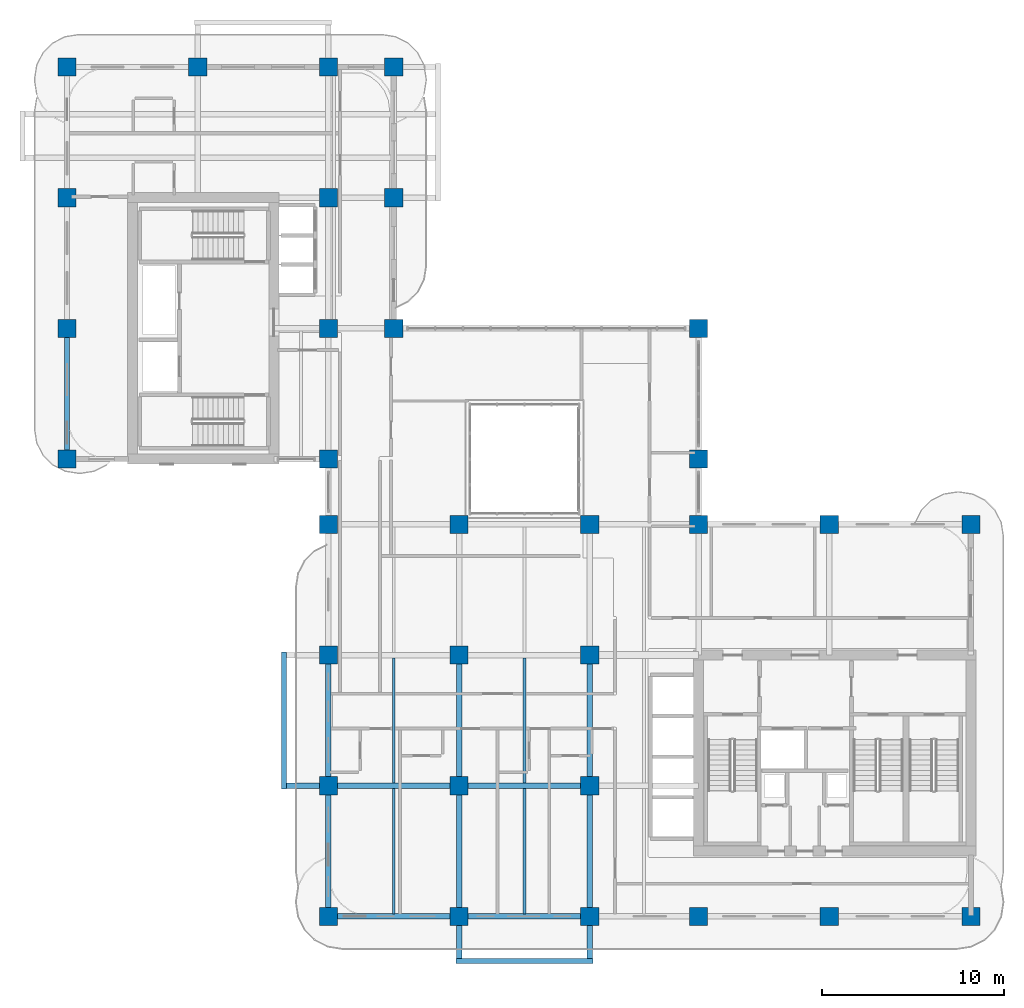
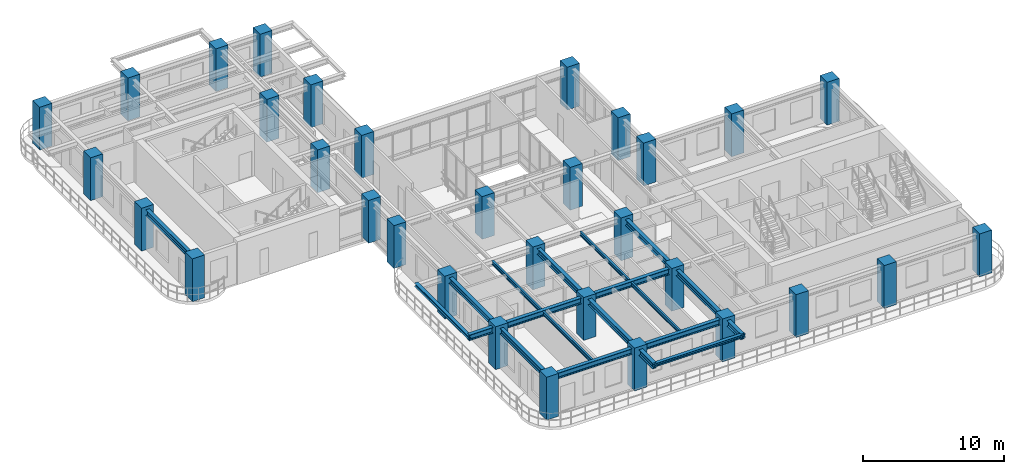
# One storey, part 1 of 20: 32 columns, 17 beams.
"""IFC4 building model written with IfcOpenShell, lengths in metres."""

import ifcopenshell
import ifcopenshell.guid

model = None  # the IFC model being written
_history = None  # IfcOwnerHistory: only IFC2X3 demands one
_inside = {}  # id of a spatial element -> (the spatial element, [elements in it])
_under = {}  # id of a project, library or spatial element -> (it, [spatial elements below it])
_declared = {}  # id of a project -> (the project, [libraries it declares])
_typed = {}  # id of a type object -> (the type object, [elements of that type])
_made_of = {}  # id of a material, layer set ... -> (it, [elements and type objects made of it])


def new_model(schema):
    """Start an empty IFC model of exactly this schema.

    Asked for "IFC4X3", IfcOpenShell would pick the latest addendum, in which some entities
    have other attributes; the version numbers below select the first issue.
    IFC2X3 requires an IfcOwnerHistory on every rooted entity: one is made here for all.
    """
    global model, _history
    if schema == "IFC4X3":
        model = ifcopenshell.file(schema_version=(4, 3, 0, 0))
    else:
        model = ifcopenshell.file(schema=schema)
    _inside.clear()
    _under.clear()
    _declared.clear()
    _typed.clear()
    _made_of.clear()
    _history = None
    if model.schema == "IFC2X3":
        org = make("IfcOrganization", Name="unknown")
        user = make(
            "IfcPersonAndOrganization",
            ThePerson=make("IfcPerson", FamilyName="unknown"),
            TheOrganization=org,
        )
        app = make(
            "IfcApplication",
            ApplicationDeveloper=org,
            Version="unknown",
            ApplicationFullName="unknown",
            ApplicationIdentifier="unknown",
        )
        _history = make(
            "IfcOwnerHistory",
            OwningUser=user,
            OwningApplication=app,
            ChangeAction="ADDED",
            CreationDate=0,
        )
    return model


def make(cls, **values):
    """One entity of the class cls with the attributes given. An attribute that is None is left unset."""
    return model.create_entity(
        cls, **{name: value for name, value in values.items() if value is not None}
    )


def rooted(cls, **values):
    """An entity with a GlobalId (a new one), such as an element, a storey or a relation."""
    return make(cls, GlobalId=ifcopenshell.guid.new(), OwnerHistory=_history, **values)


def si_unit(unit_type, name, prefix=None):
    """IfcSIUnit, for example si_unit("LENGTHUNIT", "METRE", prefix="MILLI")."""
    return make("IfcSIUnit", UnitType=unit_type, Prefix=prefix, Name=name)


def derived_unit(unit_type, elements):
    """IfcDerivedUnit: a product of units, each with its exponent."""
    return make(
        "IfcDerivedUnit",
        Elements=[
            make("IfcDerivedUnitElement", Unit=unit, Exponent=power)
            for unit, power in elements
        ],
        UnitType=unit_type,
    )


def assignment(units):
    """IfcUnitAssignment: the units of a project."""
    return None if units is None else make("IfcUnitAssignment", Units=units)


def point(xyz):
    """IfcCartesianPoint."""
    return None if xyz is None else make("IfcCartesianPoint", Coordinates=xyz)


def direction(xyz):
    """IfcDirection."""
    return None if xyz is None else make("IfcDirection", DirectionRatios=xyz)


def frame(location, z_axis=None, x_axis=None):
    """IfcAxis2Placement3D, a coordinate frame: its origin and axes. An axis left out is left unset."""
    return make(
        "IfcAxis2Placement3D",
        Location=point(location),
        Axis=direction(z_axis),
        RefDirection=direction(x_axis),
    )


def frame_2d(location, x_axis=None):
    """IfcAxis2Placement2D, a coordinate frame in the plane: its origin and x axis."""
    return make(
        "IfcAxis2Placement2D", Location=point(location), RefDirection=direction(x_axis)
    )


def origin():
    """The frame at (0, 0, 0) with its axes left unset."""
    return frame((0.0, 0.0, 0.0))


def origin_2d():
    """The frame at (0, 0) in the plane with its x axis left unset."""
    return frame_2d((0.0, 0.0))


def place(relative_to, where):
    """IfcLocalPlacement: puts the frame where relative to a parent placement (None: the world)."""
    return make(
        "IfcLocalPlacement", PlacementRelTo=relative_to, RelativePlacement=where
    )


def context(
    kind, dimensions, precision=None, world=None, true_north=None, identifier=None
):
    """IfcGeometricRepresentationContext, for example the 3D "Model" context."""
    return make(
        "IfcGeometricRepresentationContext",
        ContextIdentifier=identifier,
        ContextType=kind,
        CoordinateSpaceDimension=dimensions,
        Precision=precision,
        WorldCoordinateSystem=world,
        TrueNorth=true_north,
    )


def subcontext(parent, identifier, kind, view, scale=None):
    """IfcGeometricRepresentationSubContext, for example "Body" below "Model"."""
    return make(
        "IfcGeometricRepresentationSubContext",
        ContextIdentifier=identifier,
        ContextType=kind,
        ParentContext=parent,
        TargetScale=scale,
        TargetView=view,
    )


def project(units=None, contexts=None):
    """IfcProject with its units and contexts."""
    return rooted(
        "IfcProject",
        Name="project",
        RepresentationContexts=contexts,
        UnitsInContext=assignment(units),
    )


def spatial(cls, under=None, at=None, **own):
    """A site, building, storey or space (cls), placed at a placement, below another one or the project."""
    s = rooted(cls, ObjectPlacement=at, **own)
    if under is not None:
        _under.setdefault(under.id(), (under, []))[1].append(s)
    return s


def profile(cls, at=None, kind="AREA", **sizes):
    """A parametric profile (cls). Its sizes go by their IFC names, for example OverallWidth=200.0."""
    return make(cls, ProfileType=kind, Position=at, **sizes)


def rectangle(**sizes):
    """IfcRectangleProfileDef."""
    return profile("IfcRectangleProfileDef", **sizes)


def i_section(**sizes):
    """IfcIShapeProfileDef."""
    return profile("IfcIShapeProfileDef", **sizes)


def extrude(swept, where, along, depth):
    """IfcExtrudedAreaSolid: the profile swept, set in the frame where, extruded along a direction by depth."""
    return make(
        "IfcExtrudedAreaSolid",
        SweptArea=swept,
        Position=where,
        ExtrudedDirection=direction(along),
        Depth=depth,
    )


def shape(context_of_items, identifier, shape_type, items):
    """IfcShapeRepresentation: the items that make up one representation, for example the "Body"."""
    return make(
        "IfcShapeRepresentation",
        ContextOfItems=context_of_items,
        RepresentationIdentifier=identifier,
        RepresentationType=shape_type,
        Items=items,
    )


def source(mapping_origin, context_of_items, identifier, shape_type, items):
    """IfcRepresentationMap: a shape defined once, which mapped items show again and again."""
    return make(
        "IfcRepresentationMap",
        MappingOrigin=mapping_origin,
        MappedRepresentation=shape(context_of_items, identifier, shape_type, items),
    )


def transform(
    local_origin,
    x_axis=None,
    y_axis=None,
    z_axis=None,
    scale=None,
    scale2=None,
    scale3=None,
    uniform=True,
):
    """IfcCartesianTransformationOperator3D, or its non-uniform kind. x_axis, y_axis, z_axis: its Axis1, 2, 3."""
    if uniform:
        return make(
            "IfcCartesianTransformationOperator3D",
            Axis1=direction(x_axis),
            Axis2=direction(y_axis),
            LocalOrigin=point(local_origin),
            Scale=scale,
            Axis3=direction(z_axis),
        )
    return make(
        "IfcCartesianTransformationOperator3DnonUniform",
        Axis1=direction(x_axis),
        Axis2=direction(y_axis),
        LocalOrigin=point(local_origin),
        Scale=scale,
        Axis3=direction(z_axis),
        Scale2=scale2,
        Scale3=scale3,
    )


def mapped(mapping_source, mapping_target):
    """IfcMappedItem: shows the shape of a source again, moved by a transform."""
    return make(
        "IfcMappedItem", MappingSource=mapping_source, MappingTarget=mapping_target
    )


def material(Name=None, Category=None):
    """IfcMaterial."""
    return make("IfcMaterial", Name=Name, Category=Category)


def material_profile(
    of_material, cross_section, Name=None, Category=None, Priority=None
):
    """IfcMaterialProfile: a cross section and its material."""
    return make(
        "IfcMaterialProfile",
        Name=Name,
        Material=of_material,
        Profile=cross_section,
        Priority=Priority,
        Category=Category,
    )


def profile_set(profiles, Name=None, composite=None):
    """IfcMaterialProfileSet."""
    return make(
        "IfcMaterialProfileSet",
        Name=Name,
        MaterialProfiles=profiles,
        CompositeProfile=composite,
    )


def made_of(thing, what):
    """Note that an element or type object is made of a material, layer set ...; save() writes the relation."""
    if what is not None:
        _made_of.setdefault(what.id(), (what, []))[1].append(thing)
    return thing


def type_object(cls, material=None, **own):
    """A type object (cls), such as IfcWallType, which elements share."""
    return made_of(rooted(cls, **own), material)


def type_shapes(of_type, sources):
    """Give a type object the sources (RepresentationMaps) that its elements show as mapped items."""
    of_type.RepresentationMaps = sources


def element(
    cls,
    number,
    at=None,
    inside=None,
    cuts=None,
    type_object=None,
    material=None,
    context=None,
    identifier="Body",
    shape_type=None,
    held_by="IfcProductDefinitionShape",
    body=None,
    shapes=None,
    **own,
):
    """One element of the class cls, such as IfcWall. Its Tag is "e" and its number.

    at: its placement. inside: the storey or other place that contains it. cuts: it is an
    opening in that element (IfcRelVoidsElement). A single representation is given by context,
    identifier, shape_type and body (its items); several are given by shapes. held_by: the class
    of the entity that holds the representations. save() writes the other relations.
    """
    e = rooted(cls, Tag="e%d" % number, ObjectPlacement=at, **own)
    if body is not None:
        shapes = [shape(context, identifier, shape_type, body)]
    if shapes is not None:
        e.Representation = make(held_by, Representations=shapes)
    if inside is not None:
        _inside.setdefault(inside.id(), (inside, []))[1].append(e)
    if cuts is not None:
        rooted(
            "IfcRelVoidsElement", RelatingBuildingElement=cuts, RelatedOpeningElement=e
        )
    if type_object is not None:
        _typed.setdefault(type_object.id(), (type_object, []))[1].append(e)
    return made_of(e, material)


def aggregate(whole, parts):
    """IfcRelAggregates: a whole, such as a stair, and the parts it consists of."""
    return rooted("IfcRelAggregates", RelatingObject=whole, RelatedObjects=parts)


def save(model, path):
    """Write the relations noted so far, then the file.

    IfcRelAggregates (storeys below a building ...), IfcRelContainedInSpatialStructure (elements
    in a storey), IfcRelDefinesByType, IfcRelAssociatesMaterial and IfcRelDeclares: one each for
    every whole, place, type object, material and project.
    """
    for whole, parts in _under.values():
        aggregate(whole, parts)
    for where, things in _inside.values():
        rooted(
            "IfcRelContainedInSpatialStructure",
            RelatedElements=things,
            RelatingStructure=where,
        )
    for kind, things in _typed.values():
        rooted("IfcRelDefinesByType", RelatedObjects=things, RelatingType=kind)
    for what, things in _made_of.values():
        rooted("IfcRelAssociatesMaterial", RelatedObjects=things, RelatingMaterial=what)
    for by, libraries in _declared.values():
        rooted("IfcRelDeclares", RelatingContext=by, RelatedDefinitions=libraries)
    model.write(path)


model = new_model("IFC4")

# Units and contexts
model_context = context("Model", 3, precision=1e-05, world=origin(), true_north=direction((0.0, 1.0)))
body_context = subcontext(model_context, "Body", "Model", "MODEL_VIEW")
ifc_project = project(units=[si_unit("LENGTHUNIT", "METRE"), si_unit("AREAUNIT", "SQUARE_METRE"), si_unit("VOLUMEUNIT", "CUBIC_METRE"), si_unit("PLANEANGLEUNIT", "RADIAN"), si_unit("MASSUNIT", "GRAM", prefix="KILO"), si_unit("THERMODYNAMICTEMPERATUREUNIT", "KELVIN"), si_unit("POWERUNIT", "WATT"), derived_unit("THERMALTRANSMITTANCEUNIT", [(si_unit("POWERUNIT", "WATT"), 1), (si_unit("AREAUNIT", "SQUARE_METRE"), -1), (si_unit("THERMODYNAMICTEMPERATUREUNIT", "KELVIN"), -1)])], contexts=[model_context])

# Site, building, storey
site_placement = place(None, origin())
site = spatial("IfcSite", under=ifc_project, at=site_placement, CompositionType="ELEMENT")
building_placement = place(site_placement, origin())
building = spatial("IfcBuilding", under=site, at=building_placement, Name="Zahravan Archway Hotel and Residences", CompositionType="ELEMENT")
storey_placement = place(building_placement, frame((0.0, 0.0, 126.60009765625)))
storey = spatial("IfcBuildingStorey", under=building, at=storey_placement, Name="L31", CompositionType="ELEMENT", Elevation=126.60009765625)

# Columns
ifc_material_1 = material(Name="Concrete C60/75", Category="concrete")
ifc_material_profile_1 = material_profile(ifc_material_1, rectangle(XDim=1.0, YDim=1.0, at=origin_2d()), Name="RC-COL-1000x1000", Category="concrete")
ifc_profile_set_1 = profile_set([ifc_material_profile_1], Name="Concrete C60/75")
column_type = type_object("IfcColumnType", Name="COL-RC-1000", PredefinedType="COLUMN", material=ifc_profile_set_1)
shared_shape_1 = source(origin(), body_context, "Body", "SweptSolid", [
    extrude(rectangle(XDim=1.0, YDim=1.0, at=origin_2d()), origin(), (0.0, 0.0, 1.0), 3.699951171875),
])
type_shapes(column_type, [shared_shape_1])
for number, where, z_axis, x_axis, name in (
    (1, (0.0, 25.199951171875, 0.0), (0.0, 0.0, 1.0), (1.0, 0.0, 0.0), "L31 Column 1-E"),
    (2, (0.0, 32.39990234375, 0.0), (0.0, 0.0, 1.0), (1.0, 0.0, 0.0), "L31 Column 1-F"),
    (3, (0.0, 39.60009765625, 0.0), (0.0, 0.0, 1.0), (1.0, 0.0, 0.0), "L31 Column 1-G"),
    (4, (0.0, 46.800048828125, 0.0), (0.0, 0.0, 1.0), (1.0, 0.0, 0.0), "L31 Column 1-H"),
    (5, (7.199951171875, 46.800048828125, 0.0), (0.0, 0.0, 1.0), (1.0, 0.0, 0.0), "L31 Column 2-H"),
    (6, (14.39990234375, 0.0, 0.0), (0.0, 0.0, 1.0), (1.0, 0.0, 0.0), "L31 Column 3-A"),
    (7, (14.39990234375, 7.199951171875, 0.0), (0.0, 0.0, 1.0), (1.0, 0.0, 0.0), "L31 Column 3-B"),
    (8, (14.39990234375, 14.39990234375, 0.0), (0.0, 0.0, 1.0), (1.0, 0.0, 0.0), "L31 Column 3-C"),
    (9, (14.39990234375, 21.60009765625, 0.0), (0.0, 0.0, 1.0), (1.0, 0.0, 0.0), "L31 Column 3-D"),
    (10, (14.39990234375, 25.199951171875, 0.0), (0.0, 0.0, 1.0), (1.0, 0.0, 0.0), "L31 Column 3-E"),
    (11, (14.39990234375, 32.39990234375, 0.0), (0.0, 0.0, 1.0), (1.0, 0.0, 0.0), "L31 Column 3-F"),
    (12, (14.39990234375, 39.60009765625, 0.0), (0.0, 0.0, 1.0), (1.0, 0.0, 0.0), "L31 Column 3-G"),
    (13, (14.39990234375, 46.800048828125, 0.0), (0.0, 0.0, 1.0), (1.0, 0.0, 0.0), "L31 Column 3-H"),
    (14, (21.60009765625, 0.0, 0.0), (0.0, 0.0, 1.0), (1.0, 0.0, 0.0), "L31 Column 4-A"),
    (15, (21.60009765625, 7.199951171875, 0.0), (0.0, 0.0, 1.0), (1.0, 0.0, 0.0), "L31 Column 4-B"),
    (16, (21.60009765625, 14.39990234375, 0.0), (0.0, 0.0, 1.0), (1.0, 0.0, 0.0), "L31 Column 4-C"),
    (17, (21.60009765625, 21.60009765625, 0.0), (0.0, 0.0, 1.0), (1.0, 0.0, 0.0), "L31 Column 4-D"),
    (18, (28.800048828125, 0.0, 0.0), (0.0, 0.0, 1.0), (1.0, 0.0, 0.0), "L31 Column 5-A"),
    (19, (28.800048828125, 7.199951171875, 0.0), (0.0, 0.0, 1.0), (1.0, 0.0, 0.0), "L31 Column 5-B"),
    (20, (28.800048828125, 14.39990234375, 0.0), (0.0, 0.0, 1.0), (1.0, 0.0, 0.0), "L31 Column 5-C"),
    (21, (28.800048828125, 21.60009765625, 0.0), (0.0, 0.0, 1.0), (1.0, 0.0, 0.0), "L31 Column 5-D"),
    (22, (34.800048828125, 0.0, 0.0), (0.0, 0.0, 1.0), (1.0, 0.0, 0.0), "L31 Column 6-A"),
    (23, (34.800048828125, 21.60009765625, 0.0), (0.0, 0.0, 1.0), (1.0, 0.0, 0.0), "L31 Column 6-D"),
    (24, (34.800048828125, 25.199951171875, 0.0), (0.0, 0.0, 1.0), (1.0, 0.0, 0.0), "L31 Column 6-E"),
    (25, (34.800048828125, 32.39990234375, 0.0), (0.0, 0.0, 1.0), (1.0, 0.0, 0.0), "L31 Column 6-F"),
    (26, (42.0, 0.0, 0.0), (0.0, 0.0, 1.0), (1.0, 0.0, 0.0), "L31 Column 7-A"),
    (27, (42.0, 21.60009765625, 0.0), (0.0, 0.0, 1.0), (1.0, 0.0, 0.0), "L31 Column 7-D"),
    (28, (49.800048828125, 0.0, 0.0), (0.0, 0.0, 1.0), (1.0, 0.0, 0.0), "L31 Column 8-A"),
    (29, (49.800048828125, 21.60009765625, 0.0), (0.0, 0.0, 1.0), (1.0, 0.0, 0.0), "L31 Column 8-D"),
    (30, (18.0, 32.39990234375, 0.0), (0.0, 0.0, 1.0), (1.0, 0.0, 0.0), "L31 Column 3B-F"),
    (31, (18.0, 39.60009765625, 0.0), (0.0, 0.0, 1.0), (1.0, 0.0, 0.0), "L31 Column 3B-G"),
    (32, (18.0, 46.800048828125, 0.0), (0.0, 0.0, 1.0), (1.0, 0.0, 0.0), "L31 Column 3B-H"),
):
    element("IfcColumn", number, at=place(storey_placement, frame(where, z_axis=z_axis, x_axis=x_axis)), inside=storey, type_object=column_type, Name=name, PredefinedType="COLUMN", context=body_context, shape_type="MappedRepresentation", body=[
        mapped(shared_shape_1, transform((0.0, 0.0, 0.0), scale=1.0)),
    ])

# Beams
ifc_material_2 = material(Name="Structural Steel S355JR", Category="steel")
ifc_material_profile_2 = material_profile(ifc_material_2, i_section(OverallWidth=0.280029296875, OverallDepth=0.280029296875, WebThickness=0.010498046875, FlangeThickness=0.01806640625, FilletRadius=0.02392578125, at=origin_2d()), Name="HEB 280", Category="steel")
ifc_profile_set_2 = profile_set([ifc_material_profile_2], Name="Structural Steel S355JR")
beam_type_1 = type_object("IfcBeamType", Name="BM-SPN-HEB280", PredefinedType="SPANDREL", material=ifc_profile_set_2)
shared_shape_2 = source(origin(), body_context, "Body", "SweptSolid", [
    extrude(i_section(OverallWidth=0.280029296875, OverallDepth=0.280029296875, WebThickness=0.010498046875, FlangeThickness=0.01806640625, FilletRadius=0.02392578125, at=origin_2d()), origin(), (0.0, 0.0, 1.0), 7.56005859375),
])
type_shapes(beam_type_1, [shared_shape_2])
for number, where, z_axis, x_axis, name in (
    (33, (11.949951171875, 7.02001953125, 3.309814453125), (0.0, 1.0, 0.0), (-1.0, 0.0, 0.0), "L32 WA Balcony Edge Spandrel"),
    (34, (21.419921875, -2.449951171875, 3.309814453125), (1.0, 0.0, 0.0), (0.0, 1.0, 0.0), "L32 SA Balcony Edge Spandrel"),
):
    element("IfcBeam", number, at=place(storey_placement, frame(where, z_axis=z_axis, x_axis=x_axis)), inside=storey, type_object=beam_type_1, Name=name, PredefinedType="SPANDREL", context=body_context, shape_type="MappedRepresentation", body=[
        mapped(shared_shape_2, transform((0.0, 0.0, 0.0), scale=1.0)),
    ])
ifc_material_profile_3 = material_profile(ifc_material_2, i_section(OverallWidth=0.300048828125, OverallDepth=0.5, WebThickness=0.014404296875, FlangeThickness=0.028076171875, FilletRadius=0.027099609375, at=origin_2d()), Name="HEB 500", Category="steel")
ifc_profile_set_3 = profile_set([ifc_material_profile_3], Name="Structural Steel S355JR")
beam_type_2 = type_object("IfcBeamType", Name="BM-PRI-HEB500", PredefinedType="BEAM", material=ifc_profile_set_3)
shared_shape_3 = source(origin(), body_context, "Body", "SweptSolid", [
    extrude(i_section(OverallWidth=0.300048828125, OverallDepth=0.5, WebThickness=0.014404296875, FlangeThickness=0.028076171875, FilletRadius=0.027099609375, at=origin_2d()), origin(), (0.0, 0.0, 1.0), 7.2001953125),
])
type_shapes(beam_type_2, [shared_shape_3])
beam_1_placement = place(storey_placement, frame((14.39990234375, 0.0, 3.199951171875), z_axis=(1.0, 0.0, 0.0), x_axis=(0.0, 1.0, 0.0)))
element("IfcBeam", 35, at=beam_1_placement, inside=storey, type_object=beam_type_2, Name="L31 Primary Girder EW-01", PredefinedType="BEAM", context=body_context, shape_type="MappedRepresentation", body=[
    mapped(shared_shape_3, transform((0.0, 0.0, 0.0), scale=1.0)),
])
shared_shape_4 = source(origin(), body_context, "Body", "SweptSolid", [
    extrude(i_section(OverallWidth=0.300048828125, OverallDepth=0.5, WebThickness=0.014404296875, FlangeThickness=0.028076171875, FilletRadius=0.027099609375, at=origin_2d()), origin(), (0.0, 0.0, 1.0), 7.199951171875),
])
for number, where, z_axis, x_axis, name in (
    (36, (21.60009765625, 0.0, 3.199951171875), (1.0, 0.0, 0.0), (0.0, 1.0, 0.0), "L31 Primary Girder EW-02"),
    (37, (21.60009765625, 7.199951171875, 3.199951171875), (1.0, 0.0, 0.0), (0.0, 1.0, 0.0), "L31 Primary Girder EW-07"),
    (38, (0.0, 25.199951171875, 3.199951171875), (0.0, 1.0, 0.0), (-1.0, 0.0, 0.0), "L31 Primary Girder NS-24"),
    (39, (14.39990234375, 0.0, 3.199951171875), (0.0, 1.0, 0.0), (-1.0, 0.0, 0.0), "L31 Primary Girder NS-28"),
    (40, (14.39990234375, 7.199951171875, 3.199951171875), (0.0, 1.0, 0.0), (-1.0, 0.0, 0.0), "L31 Primary Girder NS-29"),
    (41, (21.60009765625, 7.199951171875, 3.199951171875), (0.0, 1.0, 0.0), (-1.0, 0.0, 0.0), "L31 Primary Girder NS-36"),
    (42, (28.800048828125, 7.199951171875, 3.199951171875), (0.0, 1.0, 0.0), (-1.0, 0.0, 0.0), "L31 Primary Girder NS-39"),
):
    element("IfcBeam", number, at=place(storey_placement, frame(where, z_axis=z_axis, x_axis=x_axis)), inside=storey, type_object=beam_type_2, Name=name, PredefinedType="BEAM", context=body_context, shape_type="MappedRepresentation", body=[
        mapped(shared_shape_4, transform((0.0, 0.0, 0.0), scale=1.0)),
    ])
shared_shape_5 = source(origin(), body_context, "Body", "SweptSolid", [
    extrude(i_section(OverallWidth=0.300048828125, OverallDepth=0.5, WebThickness=0.014404296875, FlangeThickness=0.028076171875, FilletRadius=0.027099609375, at=origin_2d()), origin(), (0.0, 0.0, 1.0), 9.650146484375),
])
beam_2_placement = place(storey_placement, frame((11.949951171875, 7.199951171875, 3.199951171875), z_axis=(1.0, 0.0, 0.0), x_axis=(0.0, 1.0, 0.0)))
element("IfcBeam", 43, at=beam_2_placement, inside=storey, type_object=beam_type_2, Name="L31 Primary Girder EW-06", PredefinedType="BEAM", context=body_context, shape_type="MappedRepresentation", body=[
    mapped(shared_shape_5, transform((0.0, 0.0, 0.0), scale=1.0)),
])
shared_shape_6 = source(origin(), body_context, "Body", "SweptSolid", [
    extrude(i_section(OverallWidth=0.300048828125, OverallDepth=0.5, WebThickness=0.014404296875, FlangeThickness=0.028076171875, FilletRadius=0.027099609375, at=origin_2d()), origin(), (0.0, 0.0, 1.0), 9.64990234375),
])
for number, where, z_axis, x_axis, name in (
    (44, (21.60009765625, -2.449951171875, 3.199951171875), (0.0, 1.0, 0.0), (-1.0, 0.0, 0.0), "L31 Primary Girder NS-35"),
    (45, (28.800048828125, -2.449951171875, 3.199951171875), (0.0, 1.0, 0.0), (-1.0, 0.0, 0.0), "L31 Primary Girder NS-38"),
):
    element("IfcBeam", number, at=place(storey_placement, frame(where, z_axis=z_axis, x_axis=x_axis)), inside=storey, type_object=beam_type_2, Name=name, PredefinedType="BEAM", context=body_context, shape_type="MappedRepresentation", body=[
        mapped(shared_shape_6, transform((0.0, 0.0, 0.0), scale=1.0)),
    ])
ifc_material_profile_4 = material_profile(ifc_material_2, i_section(OverallWidth=0.159912109375, OverallDepth=0.330078125, WebThickness=0.007568359375, FlangeThickness=0.011474609375, FilletRadius=0.01806640625, at=origin_2d()), Name="IPE 330", Category="steel")
ifc_profile_set_4 = profile_set([ifc_material_profile_4], Name="Structural Steel S355JR")
beam_type_3 = type_object("IfcBeamType", Name="BM-JST-IPE330", PredefinedType="JOIST", material=ifc_profile_set_4)
shared_shape_7 = source(origin(), body_context, "Body", "SweptSolid", [
    extrude(i_section(OverallWidth=0.159912109375, OverallDepth=0.330078125, WebThickness=0.007568359375, FlangeThickness=0.011474609375, FilletRadius=0.01806640625, at=origin_2d()), origin(), (0.0, 0.0, 1.0), 6.904052734375),
])
type_shapes(beam_type_3, [shared_shape_7])
for number, where, z_axis, x_axis, name in (
    (46, (18.0, 0.14794921875, 3.284912109375), (0.0, 1.0, 0.0), (-1.0, 0.0, 0.0), "L31 Composite Floor Joist 01"),
    (47, (25.199951171875, 0.14794921875, 3.284912109375), (0.0, 1.0, 0.0), (-1.0, 0.0, 0.0), "L31 Composite Floor Joist 02"),
    (48, (18.0, 7.347900390625, 3.284912109375), (0.0, 1.0, 0.0), (-1.0, 0.0, 0.0), "L31 Composite Floor Joist 04"),
    (49, (25.199951171875, 7.347900390625, 3.284912109375), (0.0, 1.0, 0.0), (-1.0, 0.0, 0.0), "L31 Composite Floor Joist 05"),
):
    element("IfcBeam", number, at=place(storey_placement, frame(where, z_axis=z_axis, x_axis=x_axis)), inside=storey, type_object=beam_type_3, Name=name, PredefinedType="JOIST", context=body_context, shape_type="MappedRepresentation", body=[
        mapped(shared_shape_7, transform((0.0, 0.0, 0.0), scale=1.0)),
    ])

save(model, "model.ifc")
